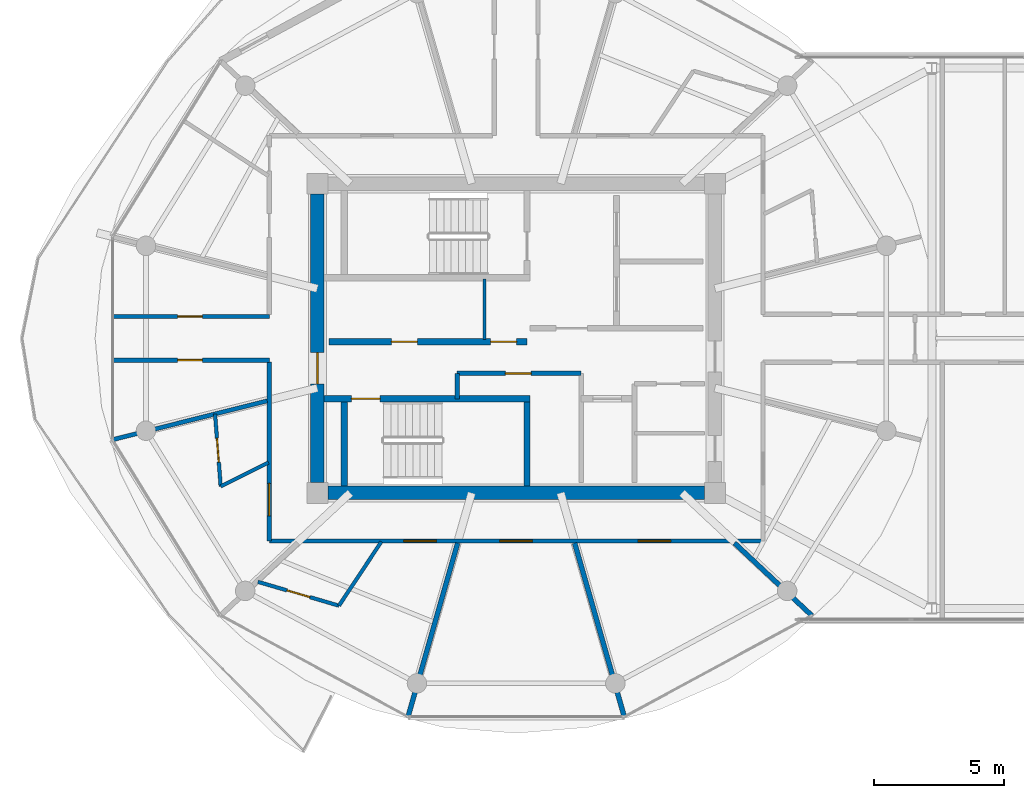
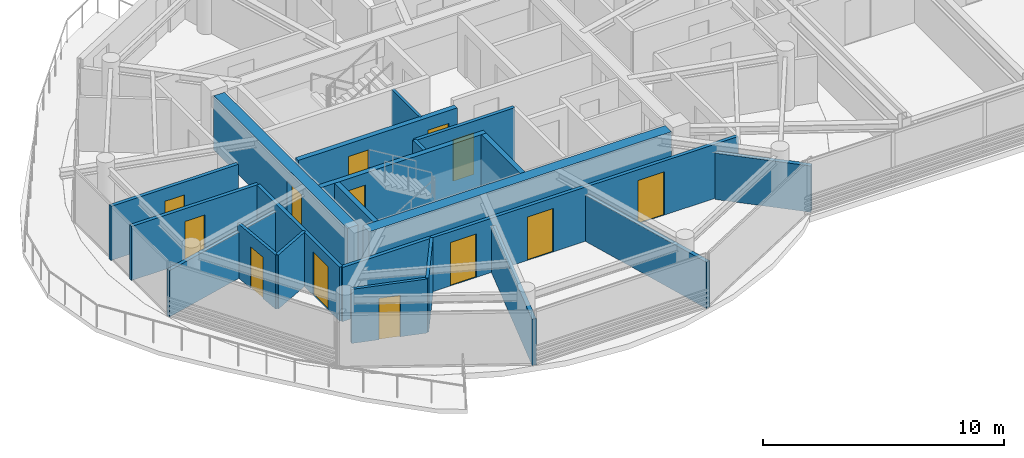
# One storey, part 14 of 23: 21 walls, 13 doors, 13 openings.
"""IFC4 building model written with IfcOpenShell, lengths in metres."""

from ifc_helpers import new_model, si_unit, direction, frame, frame_2d, origin, place, context, subcontext, project, spatial, rectangle, extrude, source, transform, mapped, material, layer, layer_set, type_object, type_shapes, element, fill, save


model = new_model("IFC4")

# Units and contexts
model_context = context("Model", 3, precision=1e-05, world=origin(), true_north=direction((0.0, 1.0)))
body_context = subcontext(model_context, "Body", "Model", "MODEL_VIEW")
ifc_project = project(units=[si_unit("LENGTHUNIT", "METRE"), si_unit("AREAUNIT", "SQUARE_METRE"), si_unit("VOLUMEUNIT", "CUBIC_METRE"), si_unit("PLANEANGLEUNIT", "RADIAN"), si_unit("MASSUNIT", "GRAM", prefix="KILO")], contexts=[model_context])

# Site, building, storey
site_placement = place(None, origin())
site = spatial("IfcSite", under=ifc_project, at=site_placement, CompositionType="ELEMENT")
building_placement = place(site_placement, origin())
building = spatial("IfcBuilding", under=site, at=building_placement, Name="Norrkilde Senior Care Towers", CompositionType="ELEMENT")
storey_placement = place(building_placement, frame((0.0, 0.0, 207.800048828125)))
storey = spatial("IfcBuildingStorey", under=building, at=storey_placement, Name="L64", CompositionType="ELEMENT", Elevation=207.800048828125)

# Wall
ifc_material_1 = material(Name="Concrete C50/60", Category="concrete")
ifc_layer_1 = layer(ifc_material_1, 0.52001953125)
ifc_layer_set_1 = layer_set([ifc_layer_1], Name="Concrete C50/60")
wall_type_1 = type_object("IfcWallType", Name="Core Shear Wall Z4 520", PredefinedType="SHEAR", material=ifc_layer_set_1)
shared_shape_1 = source(origin(), body_context, "Body", "SweptSolid", [
    extrude(rectangle(XDim=14.5, YDim=0.52001953125, at=frame_2d((7.25, 0.0))), origin(), (0.0, 0.0, 1.0), 2.760009765625),
])
wall_1_placement = place(storey_placement, frame((-20.75, -5.949951171875, 0.0), z_axis=(0.0, 0.0, 1.0), x_axis=(-1.0, 0.0, 0.0)))
element("IfcWall", 1, at=wall_1_placement, inside=storey, type_object=wall_type_1, Name="L64 Core W South Shear Wall", PredefinedType="SHEAR", context=body_context, shape_type="MappedRepresentation", body=[
    mapped(shared_shape_1, transform((0.0, 0.0, 0.0), x_axis=(1.0, 0.0, 0.0), y_axis=(0.0, 1.0, 0.0), z_axis=(0.0, 0.0, 1.0), scale=1.0)),
])

# Wall, opening, door
shared_shape_2 = source(origin(), body_context, "Body", "SweptSolid", [
    extrude(rectangle(XDim=11.10009765625, YDim=0.52001953125, at=frame_2d((5.550048828125, 0.0))), origin(), (0.0, 0.0, 1.0), 2.760009765625),
])
type_shapes(wall_type_1, [shared_shape_1, shared_shape_2])
wall_2_placement = place(storey_placement, frame((-35.64990234375, -5.550048828125, 0.0), z_axis=(0.0, 0.0, 1.0), x_axis=(0.0, 1.0, 0.0)))
wall_2 = element("IfcWall", 2, at=wall_2_placement, inside=storey, type_object=wall_type_1, Name="L64 Core W West Shear Wall", PredefinedType="SHEAR", context=body_context, shape_type="MappedRepresentation", body=[
    mapped(shared_shape_2, transform((0.0, 0.0, 0.0), x_axis=(1.0, 0.0, 0.0), y_axis=(0.0, 1.0, 0.0), z_axis=(0.0, 0.0, 1.0), scale=1.0)),
])
opening_1_placement = place(wall_2_placement, frame((3.800048828125, 0.0, 0.0)))
opening_1 = element("IfcOpeningElement", 3, at=opening_1_placement, cuts=wall_2, Name="Opening D-04", PredefinedType="OPENING", context=body_context, shape_type="SweptSolid", body=[
    extrude(rectangle(XDim=1.199951171875, YDim=2.14990234375, at=frame_2d((0.60009765625, 1.074951171875))), frame((0.0, 0.27001953125, 0.0), z_axis=(0.0, -1.0, 0.0), x_axis=(1.0, 0.0, 0.0)), (0.0, 0.0, 1.0), 0.5400390625),
])
ifc_material_2 = material(Name="Galvanised Painted Steel", Category="steel")
door_type_1 = type_object("IfcDoorType", Name="Firefighting Lobby Fire Door 1200x2150", OperationType="NOTDEFINED", PredefinedType="DOOR", material=ifc_material_2)
shared_shape_3 = source(origin(), body_context, "Body", "SweptSolid", [
    extrude(rectangle(XDim=1.199951171875, YDim=2.14990234375, at=frame_2d((0.60009765625, 1.074951171875))), frame((0.0, 0.02490234375, 0.0), z_axis=(0.0, -1.0, 0.0), x_axis=(1.0, 0.0, 0.0)), (0.0, 0.0, 1.0), 0.050048828125),
])
type_shapes(door_type_1, [shared_shape_3])
door_1_placement = place(opening_1_placement, frame((1.199951171875, 0.0, 0.0), z_axis=(0.0, 0.0, 1.0), x_axis=(-1.0, 0.0, 0.0)))
door_1 = element("IfcDoor", 4, at=door_1_placement, inside=storey, type_object=door_type_1, Name="L64 Core W West Portal Door", OperationType="SINGLE_SWING_LEFT", OverallHeight=2.14990234375, OverallWidth=1.199951171875, PredefinedType="DOOR", context=body_context, shape_type="MappedRepresentation", body=[
    mapped(shared_shape_3, transform((0.0, 0.0, 0.0), x_axis=(1.0, 0.0, 0.0), y_axis=(0.0, 1.0, 0.0), z_axis=(0.0, 0.0, 1.0), scale=1.0)),
])
fill(opening_1, door_1)

ifc_material_3 = material(Name="Concrete C45/55", Category="concrete")
ifc_layer_2 = layer(ifc_material_3, 0.239990234375)
ifc_layer_set_2 = layer_set([ifc_layer_2], Name="Concrete C45/55")
wall_type_2 = type_object("IfcWallType", Name="Shaft and Stair Enclosure Wall 240", PredefinedType="PARTITIONING", material=ifc_layer_set_2)
shared_shape_4 = source(origin(), body_context, "Body", "SweptSolid", [
    extrude(rectangle(XDim=7.929931640625, YDim=0.239990234375, at=frame_2d((3.96484375, 0.0))), origin(), (0.0, 0.0, 1.0), 2.760009765625),
])
wall_3_placement = place(storey_placement, frame((-35.389892578125, -2.330078125, 0.0), z_axis=(0.0, 0.0, 1.0), x_axis=(1.0, 0.0, 0.0)))
wall_3 = element("IfcWall", 5, at=wall_3_placement, inside=storey, type_object=wall_type_2, Name="WL-INT-L64-W-ST2N", PredefinedType="PARTITIONING", context=body_context, shape_type="MappedRepresentation", body=[
    mapped(shared_shape_4, transform((0.0, 0.0, 0.0), x_axis=(1.0, 0.0, 0.0), y_axis=(0.0, 1.0, 0.0), z_axis=(0.0, 0.0, 1.0), scale=1.0)),
])
opening_2_placement = place(wall_3_placement, frame((1.050048828125, 0.0, 0.0)))
opening_2 = element("IfcOpeningElement", 6, at=opening_2_placement, cuts=wall_3, Name="Opening D-03", PredefinedType="OPENING", context=body_context, shape_type="SweptSolid", body=[
    extrude(rectangle(XDim=1.10009765625, YDim=2.14990234375, at=frame_2d((0.550048828125, 1.074951171875))), frame((0.0, 0.1298828125, 0.0), z_axis=(0.0, -1.0, 0.0), x_axis=(1.0, 0.0, 0.0)), (0.0, 0.0, 1.0), 0.260009765625),
])
door_type_2 = type_object("IfcDoorType", Name="Stairwell Protected Fire Door 1100x2150", OperationType="NOTDEFINED", PredefinedType="DOOR", material=ifc_material_2)
shared_shape_5 = source(origin(), body_context, "Body", "SweptSolid", [
    extrude(rectangle(XDim=1.10009765625, YDim=2.14990234375, at=frame_2d((0.550048828125, 1.074951171875))), frame((0.0, 0.02490234375, 0.0), z_axis=(0.0, -1.0, 0.0), x_axis=(1.0, 0.0, 0.0)), (0.0, 0.0, 1.0), 0.050048828125),
])
type_shapes(door_type_2, [shared_shape_5])
door_2_placement = place(opening_2_placement, frame((1.10009765625, 0.0, 0.0), z_axis=(0.0, 0.0, 1.0), x_axis=(-1.0, 0.0, 0.0)))
door_2 = element("IfcDoor", 7, at=door_2_placement, inside=storey, type_object=door_type_2, Name="L64 Stair W2 Fire Door", OperationType="SINGLE_SWING_RIGHT", OverallHeight=2.14990234375, OverallWidth=1.10009765625, PredefinedType="DOOR", context=body_context, shape_type="MappedRepresentation", body=[
    mapped(shared_shape_5, transform((0.0, 0.0, 0.0), x_axis=(1.0, 0.0, 0.0), y_axis=(0.0, 1.0, 0.0), z_axis=(0.0, 0.0, 1.0), scale=1.0)),
])
fill(opening_2, door_2)

# Walls
shared_shape_6 = source(origin(), body_context, "Body", "SweptSolid", [
    extrude(rectangle(XDim=3.239990234375, YDim=0.239990234375, at=frame_2d((1.6201171875, 0.0))), origin(), (0.0, 0.0, 1.0), 2.760009765625),
])
type_shapes(wall_type_2, [shared_shape_4, shared_shape_6])
for number, where, z_axis, x_axis, name in (
    (8, (-34.6201171875, -5.68994140625, 0.0), (0.0, 0.0, 1.0), (0.0, 1.0, 0.0), "WL-INT-L64-W-ST2W"),
    (9, (-27.580078125, -5.68994140625, 0.0), (0.0, 0.0, 1.0), (0.0, 1.0, 0.0), "WL-INT-L64-W-ST2E"),
):
    element("IfcWall", number, at=place(storey_placement, frame(where, z_axis=z_axis, x_axis=x_axis)), inside=storey, type_object=wall_type_2, Name=name, PredefinedType="PARTITIONING", context=body_context, shape_type="MappedRepresentation", body=[
        mapped(shared_shape_6, transform((0.0, 0.0, 0.0), x_axis=(1.0, 0.0, 0.0), y_axis=(0.0, 1.0, 0.0), z_axis=(0.0, 0.0, 1.0), scale=1.0)),
    ])
ifc_material_4 = material(Name="Gypsum Acoustic Board")
ifc_layer_3 = layer(ifc_material_4, 0.1650390625)
ifc_layer_set_3 = layer_set([ifc_layer_3], Name="Gypsum Acoustic Board")
wall_type_3 = type_object("IfcWallType", Name="Corridor Rated Partition 165", PredefinedType="PARTITIONING", material=ifc_layer_set_3)
shared_shape_7 = source(origin(), body_context, "Body", "SweptSolid", [
    extrude(rectangle(XDim=6.1572265625, YDim=0.1650390625, at=frame_2d((3.07861328125, 0.0))), origin(), (0.0, 0.0, 1.0), 2.344970703125),
])
wall_4_placement = place(storey_placement, frame((-37.580078125, -2.407470703125, 0.0), z_axis=(0.0, 0.0, 1.0), x_axis=(-0.969840867184, -0.243738984038, 0.0)))
element("IfcWall", 10, at=wall_4_placement, inside=storey, type_object=wall_type_3, Name="WL-INT-L64-W-DEM-06-0", PredefinedType="PARTITIONING", context=body_context, shape_type="MappedRepresentation", body=[
    mapped(shared_shape_7, transform((0.0, 0.0, 0.0), x_axis=(1.0, 0.0, 0.0), y_axis=(0.0, 1.0, 0.0), z_axis=(0.0, 0.0, 1.0), scale=1.0)),
])
ifc_layer_4 = layer(ifc_material_4, 0.18994140625)
ifc_layer_set_4 = layer_set([ifc_layer_4], Name="Gypsum Acoustic Board")
wall_type_4 = type_object("IfcWallType", Name="Unit Demising Acoustic Wall 190", PredefinedType="PARTITIONING", material=ifc_layer_set_4)
shared_shape_8 = source(origin(), body_context, "Body", "SweptSolid", [
    extrude(rectangle(XDim=4.089111328125, YDim=0.18994140625, at=frame_2d((2.04443359375, 0.0))), origin(), (0.0, 0.0, 1.0), 2.344970703125),
])
wall_5_placement = place(storey_placement, frame((-19.59814453125, -7.8798828125, 0.0), z_axis=(0.0, 0.0, 1.0), x_axis=(0.729401273609, -0.684086092577, 0.0)))
element("IfcWall", 11, at=wall_5_placement, inside=storey, type_object=wall_type_4, Name="WL-INT-L64-W-DEM-10-0", PredefinedType="PARTITIONING", context=body_context, shape_type="MappedRepresentation", body=[
    mapped(shared_shape_8, transform((0.0, 0.0, 0.0), x_axis=(1.0, 0.0, 0.0), y_axis=(0.0, 1.0, 0.0), z_axis=(0.0, 0.0, 1.0), scale=1.0)),
])
shared_shape_9 = source(origin(), body_context, "Body", "SweptSolid", [
    extrude(rectangle(XDim=6.973876953125, YDim=0.18994140625, at=frame_2d((3.48681640625, 0.0))), origin(), (0.0, 0.0, 1.0), 2.344970703125),
])
type_shapes(wall_type_4, [shared_shape_8, shared_shape_9])
for number, where, z_axis, x_axis, name in (
    (12, (-30.251220703125, -7.8798828125, 0.0), (0.0, 0.0, 1.0), (-0.274707256801, -0.961527910703, 0.0), "WL-INT-L64-W-DEM-08-0"),
    (13, (-25.748779296875, -7.8798828125, 0.0), (0.0, 0.0, 1.0), (0.274707256801, -0.961527910703, 0.0), "WL-INT-L64-W-DEM-09-0"),
):
    element("IfcWall", number, at=place(storey_placement, frame(where, z_axis=z_axis, x_axis=x_axis)), inside=storey, type_object=wall_type_4, Name=name, PredefinedType="PARTITIONING", context=body_context, shape_type="MappedRepresentation", body=[
        mapped(shared_shape_9, transform((0.0, 0.0, 0.0), x_axis=(1.0, 0.0, 0.0), y_axis=(0.0, 1.0, 0.0), z_axis=(0.0, 0.0, 1.0), scale=1.0)),
    ])

# Wall, openings, doors
ifc_layer_5 = layer(ifc_material_3, 0.239990234375)
ifc_layer_set_5 = layer_set([ifc_layer_5], Name="Concrete C45/55")
wall_type_5 = type_object("IfcWallType", Name="Lift and Plant Rated Enclosure Partition 240", PredefinedType="PARTITIONING", material=ifc_layer_set_5)
shared_shape_10 = source(origin(), body_context, "Body", "SweptSolid", [
    extrude(rectangle(XDim=7.619873046875, YDim=0.239990234375, at=frame_2d((3.81005859375, 0.0))), origin(), (0.0, 0.0, 1.0), 2.744873046875),
])
type_shapes(wall_type_5, [shared_shape_10])
wall_6_placement = place(storey_placement, frame((-35.199951171875, -0.1298828125, 0.0), z_axis=(0.0, 0.0, 1.0), x_axis=(1.0, 0.0, 0.0)))
wall_6 = element("IfcWall", 14, at=wall_6_placement, inside=storey, type_object=wall_type_5, Name="WL-INT-L64-W-PKAS", PredefinedType="PARTITIONING", context=body_context, shape_type="MappedRepresentation", body=[
    mapped(shared_shape_10, transform((0.0, 0.0, 0.0), x_axis=(1.0, 0.0, 0.0), y_axis=(0.0, 1.0, 0.0), z_axis=(0.0, 0.0, 1.0), scale=1.0)),
])
opening_3_placement = place(wall_6_placement, frame((6.219970703125, 0.0, 0.0)))
opening_3 = element("IfcOpeningElement", 15, at=opening_3_placement, cuts=wall_6, Name="Opening D-10", PredefinedType="OPENING", context=body_context, shape_type="SweptSolid", body=[
    extrude(rectangle(XDim=1.0, YDim=2.10009765625, at=frame_2d((0.5, 1.050048828125))), frame((0.0, 0.1298828125, 0.0), z_axis=(0.0, -1.0, 0.0), x_axis=(1.0, 0.0, 0.0)), (0.0, 0.0, 1.0), 0.260009765625),
])
opening_4_placement = place(wall_6_placement, frame((2.39990234375, 0.0, 0.0)))
opening_4 = element("IfcOpeningElement", 16, at=opening_4_placement, cuts=wall_6, Name="Opening D-10", PredefinedType="OPENING", context=body_context, shape_type="SweptSolid", body=[
    extrude(rectangle(XDim=1.0, YDim=2.10009765625, at=frame_2d((0.5, 1.050048828125))), frame((0.0, 0.1298828125, 0.0), z_axis=(0.0, -1.0, 0.0), x_axis=(1.0, 0.0, 0.0)), (0.0, 0.0, 1.0), 0.260009765625),
])
door_type_3 = type_object("IfcDoorType", Name="Plant and Riser Rated Door 1000x2100", OperationType="NOTDEFINED", PredefinedType="DOOR", material=ifc_material_2)
shared_shape_11 = source(origin(), body_context, "Body", "SweptSolid", [
    extrude(rectangle(XDim=1.0, YDim=2.10009765625, at=frame_2d((0.5, 1.050048828125))), frame((0.0, 0.02490234375, 0.0), z_axis=(0.0, -1.0, 0.0), x_axis=(1.0, 0.0, 0.0)), (0.0, 0.0, 1.0), 0.050048828125),
])
type_shapes(door_type_3, [shared_shape_11])
door_3_placement = place(opening_3_placement, frame((1.0, 0.0, 0.0), z_axis=(0.0, 0.0, 1.0), x_axis=(-1.0, 0.0, 0.0)))
door_3 = element("IfcDoor", 17, at=door_3_placement, inside=storey, type_object=door_type_3, Name="L64 Electrical Riser W Door", OperationType="SINGLE_SWING_LEFT", OverallHeight=2.10009765625, OverallWidth=1.0, PredefinedType="DOOR", context=body_context, shape_type="MappedRepresentation", body=[
    mapped(shared_shape_11, transform((0.0, 0.0, 0.0), x_axis=(1.0, 0.0, 0.0), y_axis=(0.0, 1.0, 0.0), z_axis=(0.0, 0.0, 1.0), scale=1.0)),
])
fill(opening_3, door_3)
door_4_placement = place(opening_4_placement, frame((1.0, 0.0, 0.0), z_axis=(0.0, 0.0, 1.0), x_axis=(-1.0, 0.0, 0.0)))
door_4 = element("IfcDoor", 18, at=door_4_placement, inside=storey, type_object=door_type_3, Name="L64 Clean Supply Store W Door", OperationType="SINGLE_SWING_LEFT", OverallHeight=2.10009765625, OverallWidth=1.0, PredefinedType="DOOR", context=body_context, shape_type="MappedRepresentation", body=[
    mapped(shared_shape_11, transform((0.0, 0.0, 0.0), x_axis=(1.0, 0.0, 0.0), y_axis=(0.0, 1.0, 0.0), z_axis=(0.0, 0.0, 1.0), scale=1.0)),
])
fill(opening_4, door_4)

# Wall
ifc_layer_6 = layer(ifc_material_4, 0.114990234375)
ifc_layer_set_6 = layer_set([ifc_layer_6], Name="Gypsum Acoustic Board")
wall_type_6 = type_object("IfcWallType", Name="Internal Room Partition 115", PredefinedType="PARTITIONING", material=ifc_layer_set_6)
shared_shape_12 = source(origin(), body_context, "Body", "SweptSolid", [
    extrude(rectangle(XDim=2.330078125, YDim=0.114990234375, at=frame_2d((1.1650390625, 0.0))), origin(), (0.0, 0.0, 1.0), 2.744873046875),
])
type_shapes(wall_type_6, [shared_shape_12])
wall_7_placement = place(storey_placement, frame((-29.2099609375, -0.050048828125, 0.0), z_axis=(0.0, 0.0, 1.0), x_axis=(0.0, 1.0, 0.0)))
element("IfcWall", 19, at=wall_7_placement, inside=storey, type_object=wall_type_6, Name="WL-INT-L64-W-RISW", PredefinedType="PARTITIONING", context=body_context, shape_type="MappedRepresentation", body=[
    mapped(shared_shape_12, transform((0.0, 0.0, 0.0), x_axis=(1.0, 0.0, 0.0), y_axis=(0.0, 1.0, 0.0), z_axis=(0.0, 0.0, 1.0), scale=1.0)),
])

# Wall, opening, door
shared_shape_13 = source(origin(), body_context, "Body", "SweptSolid", [
    extrude(rectangle(XDim=4.77001953125, YDim=0.1650390625, at=frame_2d((2.385009765625, 0.0))), origin(), (0.0, 0.0, 1.0), 2.744873046875),
])
wall_8_placement = place(storey_placement, frame((-30.27001953125, -1.35009765625, 0.0), z_axis=(0.0, 0.0, 1.0), x_axis=(1.0, 0.0, 0.0)))
wall_8 = element("IfcWall", 20, at=wall_8_placement, inside=storey, type_object=wall_type_3, Name="WL-INT-L64-W-FR2N", PredefinedType="PARTITIONING", context=body_context, shape_type="MappedRepresentation", body=[
    mapped(shared_shape_13, transform((0.0, 0.0, 0.0), x_axis=(1.0, 0.0, 0.0), y_axis=(0.0, 1.0, 0.0), z_axis=(0.0, 0.0, 1.0), scale=1.0)),
])
opening_5_placement = place(wall_8_placement, frame((1.85009765625, 0.0, 0.0)))
opening_5 = element("IfcOpeningElement", 21, at=opening_5_placement, cuts=wall_8, Name="Opening D-10", PredefinedType="OPENING", context=body_context, shape_type="SweptSolid", body=[
    extrude(rectangle(XDim=1.0, YDim=2.10009765625, at=frame_2d((0.5, 1.050048828125))), frame((0.0, 0.092529296875, 0.0), z_axis=(0.0, -1.0, 0.0), x_axis=(1.0, 0.0, 0.0)), (0.0, 0.0, 1.0), 0.18505859375),
])
door_5_placement = place(opening_5_placement, origin())
door_5 = element("IfcDoor", 22, at=door_5_placement, inside=storey, type_object=door_type_3, Name="L64 Core Pantry W Door", OperationType="SINGLE_SWING_RIGHT", OverallHeight=2.10009765625, OverallWidth=1.0, PredefinedType="DOOR", context=body_context, shape_type="MappedRepresentation", body=[
    mapped(shared_shape_11, transform((0.0, 0.0, 0.0), x_axis=(1.0, 0.0, 0.0), y_axis=(0.0, 1.0, 0.0), z_axis=(0.0, 0.0, 1.0), scale=1.0)),
])
fill(opening_5, door_5)

# Wall
shared_shape_14 = source(origin(), body_context, "Body", "SweptSolid", [
    extrude(rectangle(XDim=0.97998046875, YDim=0.1650390625, at=frame_2d((0.489990234375, 0.0))), origin(), (0.0, 0.0, 1.0), 2.744873046875),
])
wall_9_placement = place(storey_placement, frame((-30.27001953125, -2.330078125, 0.0), z_axis=(0.0, 0.0, 1.0), x_axis=(0.0, 1.0, 0.0)))
element("IfcWall", 23, at=wall_9_placement, inside=storey, type_object=wall_type_3, Name="WL-INT-L64-W-FR2W", PredefinedType="PARTITIONING", context=body_context, shape_type="MappedRepresentation", body=[
    mapped(shared_shape_14, transform((0.0, 0.0, 0.0), x_axis=(1.0, 0.0, 0.0), y_axis=(0.0, 1.0, 0.0), z_axis=(0.0, 0.0, 1.0), scale=1.0)),
])

# Wall, openings, doors
shared_shape_15 = source(origin(), body_context, "Body", "SweptSolid", [
    extrude(rectangle(XDim=19.0, YDim=0.1650390625, at=frame_2d((9.5, 0.0))), origin(), (0.0, 0.0, 1.0), 2.744873046875),
])
wall_10_placement = place(storey_placement, frame((-18.5, -7.800048828125, 0.0), z_axis=(0.0, 0.0, 1.0), x_axis=(-1.0, 0.0, 0.0)))
wall_10 = element("IfcWall", 24, at=wall_10_placement, inside=storey, type_object=wall_type_3, Name="WL-INT-L64-W-CRW-S-0", PredefinedType="PARTITIONING", context=body_context, shape_type="MappedRepresentation", body=[
    mapped(shared_shape_15, transform((0.0, 0.0, 0.0), x_axis=(1.0, 0.0, 0.0), y_axis=(0.0, 1.0, 0.0), z_axis=(0.0, 0.0, 1.0), scale=1.0)),
])
opening_6_placement = place(wall_10_placement, frame((12.56884765625, 0.0, 0.0)))
opening_6 = element("IfcOpeningElement", 25, at=opening_6_placement, cuts=wall_10, Name="Opening D-05", PredefinedType="OPENING", context=body_context, shape_type="SweptSolid", body=[
    extrude(rectangle(XDim=1.25, YDim=2.199951171875, at=frame_2d((0.625, 1.10009765625))), frame((0.0, 0.092529296875, 0.0), z_axis=(0.0, -1.0, 0.0), x_axis=(1.0, 0.0, 0.0)), (0.0, 0.0, 1.0), 0.18505859375),
])
opening_7_placement = place(wall_10_placement, frame((8.875, 0.0, 0.0)))
opening_7 = element("IfcOpeningElement", 26, at=opening_7_placement, cuts=wall_10, Name="Opening D-05", PredefinedType="OPENING", context=body_context, shape_type="SweptSolid", body=[
    extrude(rectangle(XDim=1.25, YDim=2.199951171875, at=frame_2d((0.625, 1.10009765625))), frame((0.0, 0.092529296875, 0.0), z_axis=(0.0, -1.0, 0.0), x_axis=(1.0, 0.0, 0.0)), (0.0, 0.0, 1.0), 0.18505859375),
])
opening_8_placement = place(wall_10_placement, frame((3.55859375, 0.0, 0.0)))
opening_8 = element("IfcOpeningElement", 27, at=opening_8_placement, cuts=wall_10, Name="Opening D-05", PredefinedType="OPENING", context=body_context, shape_type="SweptSolid", body=[
    extrude(rectangle(XDim=1.25, YDim=2.199951171875, at=frame_2d((0.625, 1.10009765625))), frame((0.0, 0.092529296875, 0.0), z_axis=(0.0, -1.0, 0.0), x_axis=(1.0, 0.0, 0.0)), (0.0, 0.0, 1.0), 0.18505859375),
])
ifc_material_5 = material(Name="Nordic Ash Timber", Category="wood")
door_type_4 = type_object("IfcDoorType", Name="Care Bedroom Bariatric Door 1250x2200", OperationType="NOTDEFINED", PredefinedType="DOOR", material=ifc_material_5)
shared_shape_16 = source(origin(), body_context, "Body", "SweptSolid", [
    extrude(rectangle(XDim=1.25, YDim=2.199951171875, at=frame_2d((0.625, 1.10009765625))), frame((0.0, 0.02490234375, 0.0), z_axis=(0.0, -1.0, 0.0), x_axis=(1.0, 0.0, 0.0)), (0.0, 0.0, 1.0), 0.050048828125),
])
type_shapes(door_type_4, [shared_shape_16])
door_6_placement = place(opening_6_placement, frame((1.25, 0.0, 0.0), z_axis=(0.0, 0.0, 1.0), x_axis=(-1.0, 0.0, 0.0)))
door_6 = element("IfcDoor", 28, at=door_6_placement, inside=storey, type_object=door_type_4, Name="L64 Care Suite 6407 Entrance Door", OperationType="SINGLE_SWING_RIGHT", OverallHeight=2.199951171875, OverallWidth=1.25, PredefinedType="DOOR", context=body_context, shape_type="MappedRepresentation", body=[
    mapped(shared_shape_16, transform((0.0, 0.0, 0.0), x_axis=(1.0, 0.0, 0.0), y_axis=(0.0, 1.0, 0.0), z_axis=(0.0, 0.0, 1.0), scale=1.0)),
])
fill(opening_6, door_6)
door_7_placement = place(opening_7_placement, frame((1.25, 0.0, 0.0), z_axis=(0.0, 0.0, 1.0), x_axis=(-1.0, 0.0, 0.0)))
door_7 = element("IfcDoor", 29, at=door_7_placement, inside=storey, type_object=door_type_4, Name="L64 Resident Therapeutic Day Lounge Door", OperationType="SINGLE_SWING_LEFT", OverallHeight=2.199951171875, OverallWidth=1.25, PredefinedType="DOOR", context=body_context, shape_type="MappedRepresentation", body=[
    mapped(shared_shape_16, transform((0.0, 0.0, 0.0), x_axis=(1.0, 0.0, 0.0), y_axis=(0.0, 1.0, 0.0), z_axis=(0.0, 0.0, 1.0), scale=1.0)),
])
fill(opening_7, door_7)
door_8_placement = place(opening_8_placement, frame((1.25, 0.0, 0.0), z_axis=(0.0, 0.0, 1.0), x_axis=(-1.0, 0.0, 0.0)))
door_8 = element("IfcDoor", 30, at=door_8_placement, inside=storey, type_object=door_type_4, Name="L64 Household Therapeutic Kitchen Door", OperationType="SINGLE_SWING_RIGHT", OverallHeight=2.199951171875, OverallWidth=1.25, PredefinedType="DOOR", context=body_context, shape_type="MappedRepresentation", body=[
    mapped(shared_shape_16, transform((0.0, 0.0, 0.0), x_axis=(1.0, 0.0, 0.0), y_axis=(0.0, 1.0, 0.0), z_axis=(0.0, 0.0, 1.0), scale=1.0)),
])
fill(opening_8, door_8)

# Wall, opening, door
shared_shape_17 = source(origin(), body_context, "Body", "SweptSolid", [
    extrude(rectangle(XDim=6.880126953125, YDim=0.1650390625, at=frame_2d((3.43994140625, 0.0))), origin(), (0.0, 0.0, 1.0), 2.744873046875),
])
wall_11_placement = place(storey_placement, frame((-37.5, -7.800048828125, 0.0), z_axis=(0.0, 0.0, 1.0), x_axis=(0.0, 1.0, 0.0)))
wall_11 = element("IfcWall", 31, at=wall_11_placement, inside=storey, type_object=wall_type_3, Name="WL-INT-L64-W-CRW-W-0", PredefinedType="PARTITIONING", context=body_context, shape_type="MappedRepresentation", body=[
    mapped(shared_shape_17, transform((0.0, 0.0, 0.0), x_axis=(1.0, 0.0, 0.0), y_axis=(0.0, 1.0, 0.0), z_axis=(0.0, 0.0, 1.0), scale=1.0)),
])
opening_9_placement = place(wall_11_placement, frame((0.96826171875, 0.0, 0.0)))
opening_9 = element("IfcOpeningElement", 32, at=opening_9_placement, cuts=wall_11, Name="Opening D-05", PredefinedType="OPENING", context=body_context, shape_type="SweptSolid", body=[
    extrude(rectangle(XDim=1.25, YDim=2.199951171875, at=frame_2d((0.625, 1.10009765625))), frame((0.0, 0.092529296875, 0.0), z_axis=(0.0, -1.0, 0.0), x_axis=(1.0, 0.0, 0.0)), (0.0, 0.0, 1.0), 0.18505859375),
])
door_9_placement = place(opening_9_placement, frame((1.25, 0.0, 0.0), z_axis=(0.0, 0.0, 1.0), x_axis=(-1.0, 0.0, 0.0)))
door_9 = element("IfcDoor", 33, at=door_9_placement, inside=storey, type_object=door_type_4, Name="L64 Care Suite 6406 Entrance Door", OperationType="SINGLE_SWING_LEFT", OverallHeight=2.199951171875, OverallWidth=1.25, PredefinedType="DOOR", context=body_context, shape_type="MappedRepresentation", body=[
    mapped(shared_shape_16, transform((0.0, 0.0, 0.0), x_axis=(1.0, 0.0, 0.0), y_axis=(0.0, 1.0, 0.0), z_axis=(0.0, 0.0, 1.0), scale=1.0)),
])
fill(opening_9, door_9)

shared_shape_18 = source(origin(), body_context, "Body", "SweptSolid", [
    extrude(rectangle(XDim=6.101318359375, YDim=0.1650390625, at=frame_2d((3.05078125, 0.0))), origin(), (0.0, 0.0, 1.0), 2.744873046875),
])
type_shapes(wall_type_3, [shared_shape_7, shared_shape_13, shared_shape_14, shared_shape_15, shared_shape_17, shared_shape_18])
wall_12_placement = place(storey_placement, frame((-43.601318359375, 0.840087890625, 0.0), z_axis=(0.0, 0.0, 1.0), x_axis=(1.0, 0.0, 0.0)))
wall_12 = element("IfcWall", 34, at=wall_12_placement, inside=storey, type_object=wall_type_3, Name="WL-INT-L64-W-SPK-W1-0", PredefinedType="PARTITIONING", context=body_context, shape_type="MappedRepresentation", body=[
    mapped(shared_shape_18, transform((0.0, 0.0, 0.0), x_axis=(1.0, 0.0, 0.0), y_axis=(0.0, 1.0, 0.0), z_axis=(0.0, 0.0, 1.0), scale=1.0)),
])
opening_10_placement = place(wall_12_placement, frame((2.57568359375, 0.0, 0.0)))
opening_10 = element("IfcOpeningElement", 35, at=opening_10_placement, cuts=wall_12, Name="Opening D-07", PredefinedType="OPENING", context=body_context, shape_type="SweptSolid", body=[
    extrude(rectangle(XDim=0.949951171875, YDim=2.10009765625, at=frame_2d((0.47509765625, 1.050048828125))), frame((0.0, 0.092529296875, 0.0), z_axis=(0.0, -1.0, 0.0), x_axis=(1.0, 0.0, 0.0)), (0.0, 0.0, 1.0), 0.18505859375),
])
door_type_5 = type_object("IfcDoorType", Name="Internal Suite Bedroom Door 950x2100", OperationType="NOTDEFINED", PredefinedType="DOOR", material=ifc_material_5)
shared_shape_19 = source(origin(), body_context, "Body", "SweptSolid", [
    extrude(rectangle(XDim=0.949951171875, YDim=2.10009765625, at=frame_2d((0.47509765625, 1.050048828125))), frame((0.0, 0.02490234375, 0.0), z_axis=(0.0, -1.0, 0.0), x_axis=(1.0, 0.0, 0.0)), (0.0, 0.0, 1.0), 0.050048828125),
])
type_shapes(door_type_5, [shared_shape_19])
door_10_placement = place(opening_10_placement, frame((0.949951171875, 0.0, 0.0), z_axis=(0.0, 0.0, 1.0), x_axis=(-1.0, 0.0, 0.0)))
door_10 = element("IfcDoor", 36, at=door_10_placement, inside=storey, type_object=door_type_5, Name="L64 Sun Reading Lounge 2 Door", OperationType="SINGLE_SWING_LEFT", OverallHeight=2.10009765625, OverallWidth=0.949951171875, PredefinedType="DOOR", context=body_context, shape_type="MappedRepresentation", body=[
    mapped(shared_shape_19, transform((0.0, 0.0, 0.0), x_axis=(1.0, 0.0, 0.0), y_axis=(0.0, 1.0, 0.0), z_axis=(0.0, 0.0, 1.0), scale=1.0)),
])
fill(opening_10, door_10)

wall_13_placement = place(storey_placement, frame((-37.5, -0.840087890625, 0.0), z_axis=(0.0, 0.0, 1.0), x_axis=(-1.0, 0.0, 0.0)))
wall_13 = element("IfcWall", 37, at=wall_13_placement, inside=storey, type_object=wall_type_3, Name="WL-INT-L64-W-SPK-W2-0", PredefinedType="PARTITIONING", context=body_context, shape_type="MappedRepresentation", body=[
    mapped(shared_shape_18, transform((0.0, 0.0, 0.0), x_axis=(1.0, 0.0, 0.0), y_axis=(0.0, 1.0, 0.0), z_axis=(0.0, 0.0, 1.0), scale=1.0)),
])
opening_11_placement = place(wall_13_placement, frame((2.57568359375, 0.0, 0.0)))
opening_11 = element("IfcOpeningElement", 38, at=opening_11_placement, cuts=wall_13, Name="Opening D-07", PredefinedType="OPENING", context=body_context, shape_type="SweptSolid", body=[
    extrude(rectangle(XDim=0.949951171875, YDim=2.10009765625, at=frame_2d((0.47509765625, 1.050048828125))), frame((0.0, 0.092529296875, 0.0), z_axis=(0.0, -1.0, 0.0), x_axis=(1.0, 0.0, 0.0)), (0.0, 0.0, 1.0), 0.18505859375),
])
door_11_placement = place(opening_11_placement, frame((0.949951171875, 0.0, 0.0), z_axis=(0.0, 0.0, 1.0), x_axis=(-1.0, 0.0, 0.0)))
door_11 = element("IfcDoor", 39, at=door_11_placement, inside=storey, type_object=door_type_5, Name="L64 Sun Reading Lounge 1 Door", OperationType="SINGLE_SWING_RIGHT", OverallHeight=2.10009765625, OverallWidth=0.949951171875, PredefinedType="DOOR", context=body_context, shape_type="MappedRepresentation", body=[
    mapped(shared_shape_19, transform((0.0, 0.0, 0.0), x_axis=(1.0, 0.0, 0.0), y_axis=(0.0, 1.0, 0.0), z_axis=(0.0, 0.0, 1.0), scale=1.0)),
])
fill(opening_11, door_11)

# Wall
ifc_layer_7 = layer(ifc_material_4, 0.139892578125)
ifc_layer_set_7 = layer_set([ifc_layer_7], Name="Gypsum Acoustic Board")
wall_type_7 = type_object("IfcWallType", Name="En-suite Wet Room Wall 140", PredefinedType="PARTITIONING", material=ifc_layer_set_7)
shared_shape_20 = source(origin(), body_context, "Body", "SweptSolid", [
    extrude(rectangle(XDim=2.059814453125, YDim=0.139892578125, at=frame_2d((1.02978515625, 0.0))), origin(), (0.0, 0.0, 1.0), 2.744873046875),
])
wall_14_placement = place(storey_placement, frame((-37.530029296875, -4.7783203125, 0.0), z_axis=(0.0, 0.0, 1.0), x_axis=(-0.893952568722, -0.448161583444, 0.0)))
element("IfcWall", 40, at=wall_14_placement, inside=storey, type_object=wall_type_7, Name="WL-INT-L64-W-ES-06", PredefinedType="PARTITIONING", context=body_context, shape_type="MappedRepresentation", body=[
    mapped(shared_shape_20, transform((0.0, 0.0, 0.0), x_axis=(1.0, 0.0, 0.0), y_axis=(0.0, 1.0, 0.0), z_axis=(0.0, 0.0, 1.0), scale=1.0)),
])

# Wall, opening, door
shared_shape_21 = source(origin(), body_context, "Body", "SweptSolid", [
    extrude(rectangle(XDim=2.79833984375, YDim=0.139892578125, at=frame_2d((1.399169921875, 0.0))), origin(), (0.0, 0.0, 1.0), 2.744873046875),
])
wall_15_placement = place(storey_placement, frame((-39.371337890625, -5.701416015625, 0.0), z_axis=(0.0, 0.0, 1.0), x_axis=(-0.077823984089, 0.996967114553, 0.0)))
wall_15 = element("IfcWall", 41, at=wall_15_placement, inside=storey, type_object=wall_type_7, Name="WL-INT-L64-W-EF-06", PredefinedType="PARTITIONING", context=body_context, shape_type="MappedRepresentation", body=[
    mapped(shared_shape_21, transform((0.0, 0.0, 0.0), x_axis=(1.0, 0.0, 0.0), y_axis=(0.0, 1.0, 0.0), z_axis=(0.0, 0.0, 1.0), scale=1.0)),
])
opening_12_placement = place(wall_15_placement, frame((0.939208984375, 0.0, 0.0)))
opening_12 = element("IfcOpeningElement", 42, at=opening_12_placement, cuts=wall_15, Name="Opening D-08", PredefinedType="OPENING", context=body_context, shape_type="SweptSolid", body=[
    extrude(rectangle(XDim=0.919921875, YDim=2.10009765625, at=frame_2d((0.4599609375, 1.050048828125))), frame((0.0, 0.079833984375, 0.0), z_axis=(0.0, -1.0, 0.0), x_axis=(1.0, 0.0, 0.0)), (0.0, 0.0, 1.0), 0.159912109375),
])
door_type_6 = type_object("IfcDoorType", Name="Accessible Wet Room Door 920x2100", OperationType="NOTDEFINED", PredefinedType="DOOR", material=ifc_material_5)
shared_shape_22 = source(origin(), body_context, "Body", "SweptSolid", [
    extrude(rectangle(XDim=0.919921875, YDim=2.10009765625, at=frame_2d((0.4599609375, 1.050048828125))), frame((0.0, 0.02490234375, 0.0), z_axis=(0.0, -1.0, 0.0), x_axis=(1.0, 0.0, 0.0)), (0.0, 0.0, 1.0), 0.050048828125),
])
type_shapes(door_type_6, [shared_shape_22])
door_12_placement = place(opening_12_placement, origin())
door_12 = element("IfcDoor", 43, at=door_12_placement, inside=storey, type_object=door_type_6, Name="L64 Care Suite 6406 Bathroom Door", OperationType="SINGLE_SWING_RIGHT", OverallHeight=2.10009765625, OverallWidth=0.919921875, PredefinedType="DOOR", context=body_context, shape_type="MappedRepresentation", body=[
    mapped(shared_shape_22, transform((0.0, 0.0, 0.0), x_axis=(1.0, 0.0, 0.0), y_axis=(0.0, 1.0, 0.0), z_axis=(0.0, 0.0, 1.0), scale=1.0)),
])
fill(opening_12, door_12)

# Wall
shared_shape_23 = source(origin(), body_context, "Body", "SweptSolid", [
    extrude(rectangle(XDim=2.95263671875, YDim=0.139892578125, at=frame_2d((1.476318359375, 0.0))), origin(), (0.0, 0.0, 1.0), 2.744873046875),
])
wall_16_placement = place(storey_placement, frame((-33.1884765625, -7.830078125, 0.0), z_axis=(0.0, 0.0, 1.0), x_axis=(-0.552427436518, -0.833560991999, 0.0)))
element("IfcWall", 44, at=wall_16_placement, inside=storey, type_object=wall_type_7, Name="WL-INT-L64-W-ES-07", PredefinedType="PARTITIONING", context=body_context, shape_type="MappedRepresentation", body=[
    mapped(shared_shape_23, transform((0.0, 0.0, 0.0), x_axis=(1.0, 0.0, 0.0), y_axis=(0.0, 1.0, 0.0), z_axis=(0.0, 0.0, 1.0), scale=1.0)),
])

# Wall, opening, door
shared_shape_24 = source(origin(), body_context, "Body", "SweptSolid", [
    extrude(rectangle(XDim=3.252197265625, YDim=0.139892578125, at=frame_2d((1.6259765625, 0.0))), origin(), (0.0, 0.0, 1.0), 2.744873046875),
])
type_shapes(wall_type_7, [shared_shape_20, shared_shape_21, shared_shape_23, shared_shape_24])
wall_17_placement = place(storey_placement, frame((-34.819580078125, -10.291259765625, 0.0), z_axis=(0.0, 0.0, 1.0), x_axis=(-0.959294945864, 0.282406102695, 0.0)))
wall_17 = element("IfcWall", 45, at=wall_17_placement, inside=storey, type_object=wall_type_7, Name="WL-INT-L64-W-EF-07", PredefinedType="PARTITIONING", context=body_context, shape_type="MappedRepresentation", body=[
    mapped(shared_shape_24, transform((0.0, 0.0, 0.0), x_axis=(1.0, 0.0, 0.0), y_axis=(0.0, 1.0, 0.0), z_axis=(0.0, 0.0, 1.0), scale=1.0)),
])
opening_13_placement = place(wall_17_placement, frame((1.166259765625, 0.0, 0.0)))
opening_13 = element("IfcOpeningElement", 46, at=opening_13_placement, cuts=wall_17, Name="Opening D-08", PredefinedType="OPENING", context=body_context, shape_type="SweptSolid", body=[
    extrude(rectangle(XDim=0.919921875, YDim=2.10009765625, at=frame_2d((0.4599609375, 1.050048828125))), frame((0.0, 0.079833984375, 0.0), z_axis=(0.0, -1.0, 0.0), x_axis=(1.0, 0.0, 0.0)), (0.0, 0.0, 1.0), 0.159912109375),
])
door_13_placement = place(opening_13_placement, origin())
door_13 = element("IfcDoor", 47, at=door_13_placement, inside=storey, type_object=door_type_6, Name="L64 Care Suite 6407 Bathroom Door", OperationType="SINGLE_SWING_LEFT", OverallHeight=2.10009765625, OverallWidth=0.919921875, PredefinedType="DOOR", context=body_context, shape_type="MappedRepresentation", body=[
    mapped(shared_shape_22, transform((0.0, 0.0, 0.0), x_axis=(1.0, 0.0, 0.0), y_axis=(0.0, 1.0, 0.0), z_axis=(0.0, 0.0, 1.0), scale=1.0)),
])
fill(opening_13, door_13)

save(model, "model.ifc")
